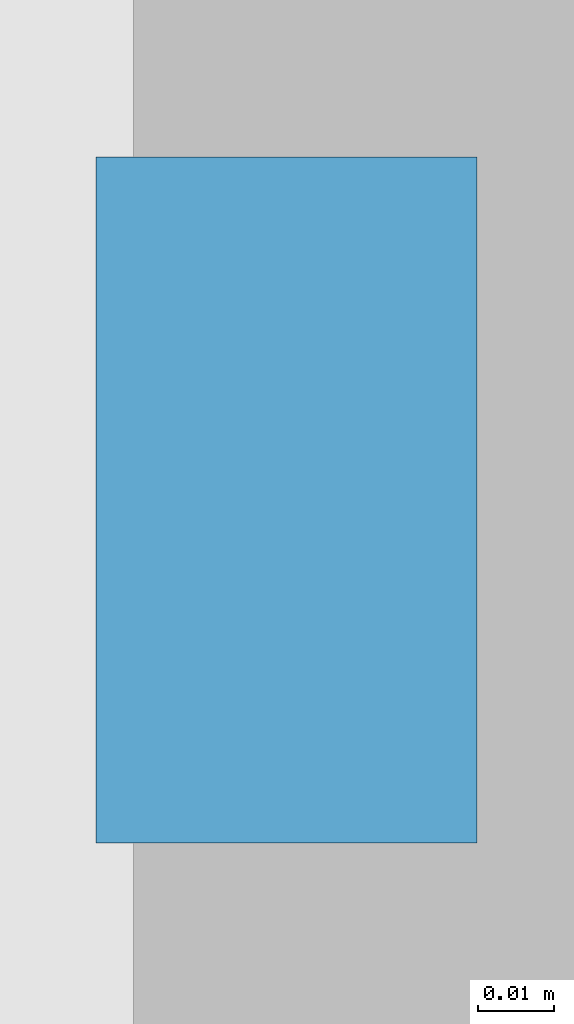
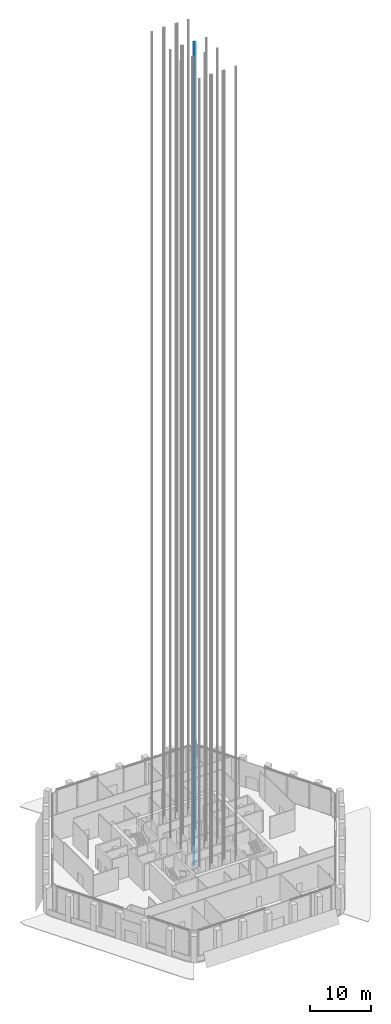
# One storey, part 30 of 42: 1 discrete accessory.
"""IFC4 building model written with IfcOpenShell, lengths in metres."""

from ifc_helpers import new_model, si_unit, direction, frame, origin, origin_2d, place, context, subcontext, project, spatial, rectangle, extrude, element, save


model = new_model("IFC4")

# Units and contexts
model_context = context("Model", 3, precision=1e-05, world=origin(), true_north=direction((0.0, 1.0)))
body_context = subcontext(model_context, "Body", "Model", "MODEL_VIEW")
ifc_project = project(units=[si_unit("LENGTHUNIT", "METRE"), si_unit("AREAUNIT", "SQUARE_METRE"), si_unit("VOLUMEUNIT", "CUBIC_METRE"), si_unit("PLANEANGLEUNIT", "RADIAN"), si_unit("MASSUNIT", "GRAM", prefix="KILO")], contexts=[model_context])

# Site, building, storey
site_placement = place(None, origin())
site = spatial("IfcSite", under=ifc_project, at=site_placement, CompositionType="ELEMENT")
building_placement = place(site_placement, origin())
building = spatial("IfcBuilding", under=site, at=building_placement, Name="Kolab Exchange Tower", CompositionType="ELEMENT")
storey_placement = place(building_placement, frame((0.0, 0.0, 133.39990234375)))
storey = spatial("IfcBuildingStorey", under=building, at=storey_placement, Name="L26", CompositionType="ELEMENT", Elevation=133.39990234375)

# Discrete accessory
discrete_accessory_placement = place(storey_placement, frame((1.070068359375, 1.800048828125, -1.599853515625), z_axis=(0.0, 0.0, 1.0), x_axis=(1.0, 0.0, 0.0)))
element("IfcDiscreteAccessory", 1, at=discrete_accessory_placement, inside=storey, Name="Guide rail HR5-2", ObjectType="GUIDE RAIL", PredefinedType="USERDEFINED", context=body_context, shape_type="SweptSolid", body=[
    extrude(rectangle(XDim=0.050048828125, YDim=0.090087890625, at=origin_2d()), origin(), (0.0, 0.0, 1.0), 165.60009765625),
])

save(model, "model.ifc")
